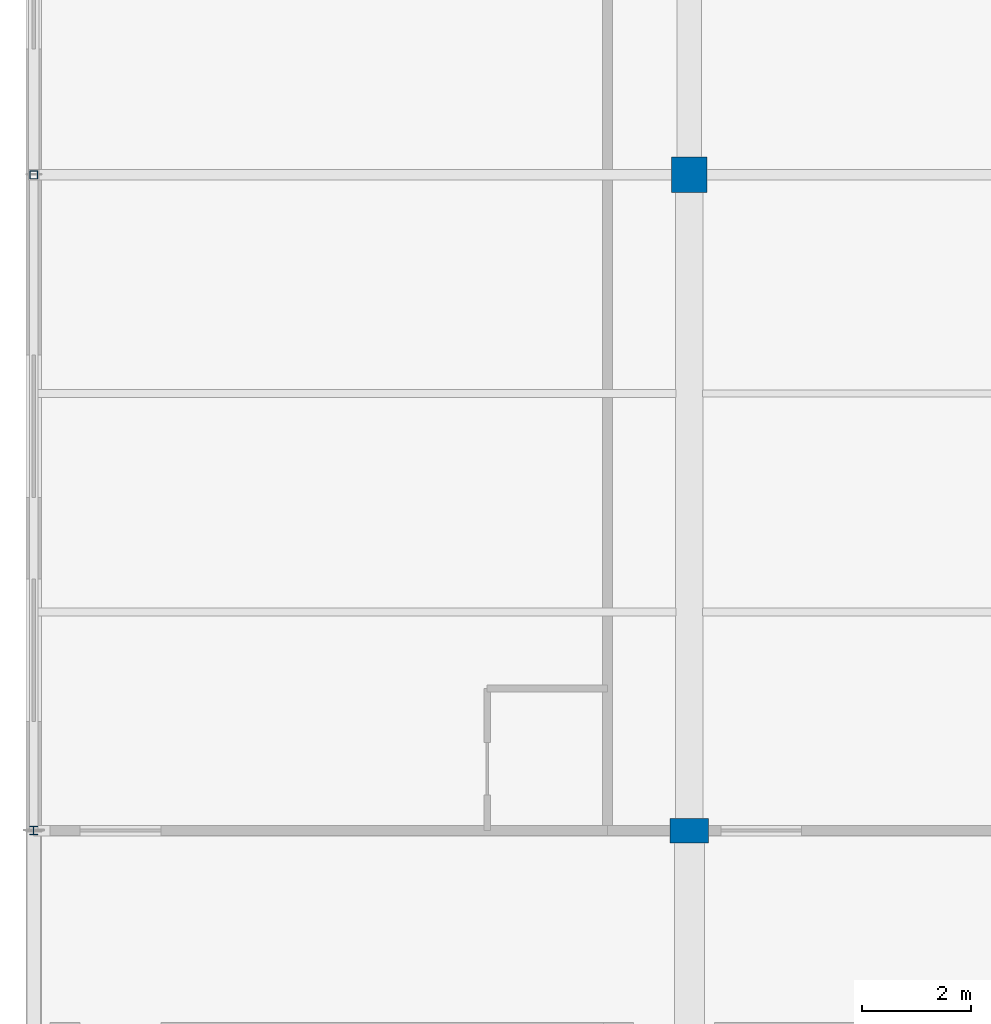
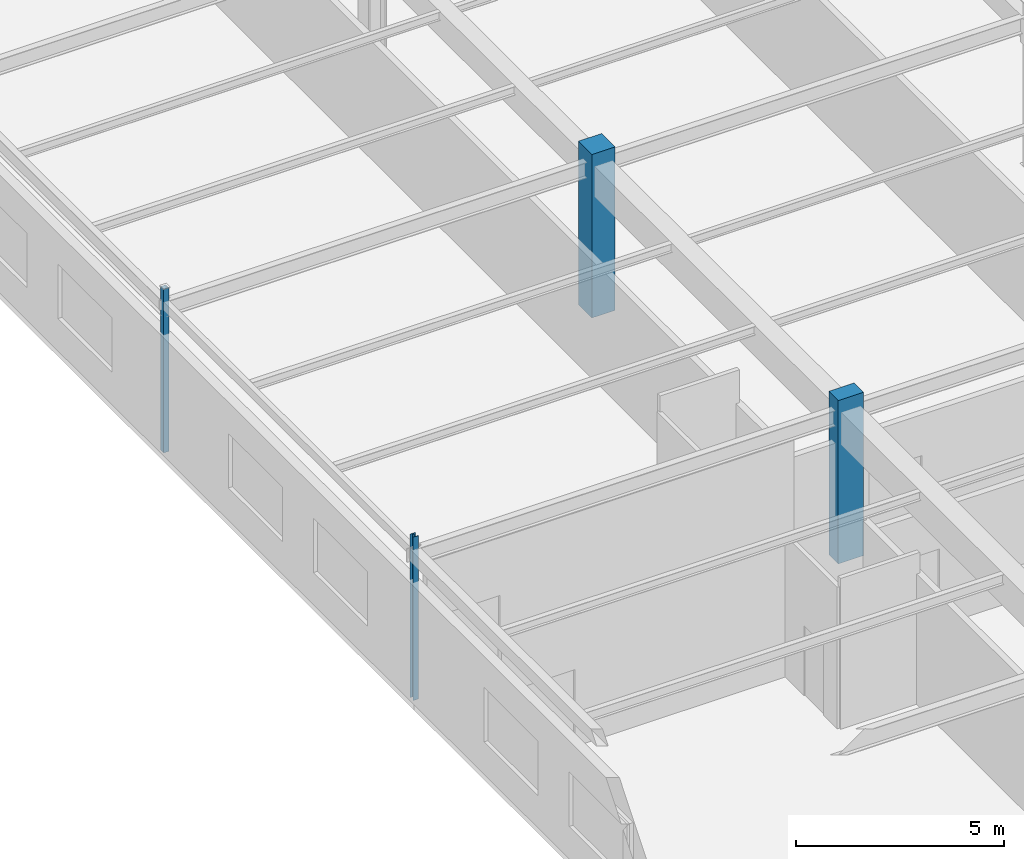
# One storey, part 18 of 226: 4 columns.
"""IFC4 building model written with IfcOpenShell, lengths in metres."""

from ifc_helpers import new_model, si_unit, direction, frame, origin, origin_2d, place, context, subcontext, project, spatial, rectangle, hollow_rectangle, i_section, extrude, material, material_profile, profile_set, type_object, element, save


model = new_model("IFC4")

# Units and contexts
model_context = context("Model", 3, precision=1e-05, world=origin(), true_north=direction((0.0, 1.0)))
body_context = subcontext(model_context, "Body", "Model", "MODEL_VIEW")
ifc_project = project(units=[si_unit("LENGTHUNIT", "METRE"), si_unit("AREAUNIT", "SQUARE_METRE"), si_unit("VOLUMEUNIT", "CUBIC_METRE"), si_unit("PLANEANGLEUNIT", "RADIAN"), si_unit("MASSUNIT", "GRAM", prefix="KILO")], contexts=[model_context])

# Site, building, storey
site_placement = place(None, origin())
site = spatial("IfcSite", under=ifc_project, at=site_placement, CompositionType="ELEMENT")
building_placement = place(site_placement, origin())
building = spatial("IfcBuilding", under=site, at=building_placement, Name="Tarnwether General Hospital", CompositionType="ELEMENT")
storey_placement = place(building_placement, frame((0.0, 0.0, 4.800048828125)))
storey = spatial("IfcBuildingStorey", under=building, at=storey_placement, Name="L01", CompositionType="ELEMENT", Elevation=4.800048828125)

# Columns
ifc_material_1 = material(Name="Concrete 50 MPa", Category="concrete")
ifc_material_profile_1 = material_profile(ifc_material_1, rectangle(XDim=0.449951171875, YDim=0.699951171875, at=origin_2d()), Name="RC-PIL-450x700")
ifc_profile_set_1 = profile_set([ifc_material_profile_1], Name="Concrete 50 MPa")
column_type_1 = type_object("IfcColumnType", Name="COL-22", PredefinedType="PILASTER", material=ifc_profile_set_1)
column_1_placement = place(storey_placement, frame((12.0, 81.60009765625, 0.0), z_axis=(0.0, 0.0, 1.0), x_axis=(0.0, 1.0, 0.0)))
element("IfcColumn", 1, at=column_1_placement, inside=storey, type_object=column_type_1, Name="Column COLG-L01-1200_8160", PredefinedType="PILASTER", context=body_context, shape_type="SweptSolid", body=[
    extrude(rectangle(XDim=0.449951171875, YDim=0.699951171875, at=origin_2d()), origin(), (0.0, 0.0, 1.0), 4.800048828125),
])
ifc_material_2 = material(Name="Steel Grade 350 (350 MPa)", Category="steel")
ifc_material_profile_2 = material_profile(ifc_material_2, i_section(OverallWidth=0.152099609375, OverallDepth=0.152099609375, WebThickness=0.006103515625, FlangeThickness=0.0068359375, at=origin_2d()), Name="150UC23.4")
ifc_profile_set_2 = profile_set([ifc_material_profile_2], Name="Steel Grade 350 (350 MPa)")
column_type_2 = type_object("IfcColumnType", Name="COL-32", PredefinedType="COLUMN", material=ifc_profile_set_2)
column_2_placement = place(storey_placement, frame((0.0, 81.60009765625, 0.0), z_axis=(0.0, 0.0, 1.0), x_axis=(1.0, 0.0, 0.0)))
element("IfcColumn", 2, at=column_2_placement, inside=storey, type_object=column_type_2, Name="Column COLG-L01-0_8160", PredefinedType="COLUMN", context=body_context, shape_type="SweptSolid", body=[
    extrude(i_section(OverallWidth=0.152099609375, OverallDepth=0.152099609375, WebThickness=0.006103515625, FlangeThickness=0.0068359375, at=origin_2d()), origin(), (0.0, 0.0, 1.0), 4.800048828125),
])
ifc_material_3 = material(Name="Steel Grade C350L0 (350 MPa)", Category="steel")
ifc_material_profile_3 = material_profile(ifc_material_3, hollow_rectangle(XDim=0.14990234375, YDim=0.14990234375, WallThickness=0.008056640625, at=origin_2d()), Name="SHS150x150x8")
ifc_profile_set_3 = profile_set([ifc_material_profile_3], Name="Steel Grade C350L0 (350 MPa)")
column_type_3 = type_object("IfcColumnType", Name="COL-33", PredefinedType="COLUMN", material=ifc_profile_set_3)
column_3_placement = place(storey_placement, frame((0.0, 93.60009765625, 0.0), z_axis=(0.0, 0.0, 1.0), x_axis=(1.0, 0.0, 0.0)))
element("IfcColumn", 3, at=column_3_placement, inside=storey, type_object=column_type_3, Name="Column COLG-L01-0_9360", PredefinedType="COLUMN", context=body_context, shape_type="SweptSolid", body=[
    extrude(hollow_rectangle(XDim=0.14990234375, YDim=0.14990234375, WallThickness=0.008056640625, at=origin_2d()), origin(), (0.0, 0.0, 1.0), 4.800048828125),
])
ifc_material_4 = material(Name="Concrete 50 MPa", Category="concrete")
ifc_material_profile_4 = material_profile(ifc_material_4, rectangle(XDim=0.64990234375, YDim=0.64990234375, at=origin_2d()), Name="RC-COL-650x650")
ifc_profile_set_4 = profile_set([ifc_material_profile_4], Name="Concrete 50 MPa")
column_type_4 = type_object("IfcColumnType", Name="COL-35", PredefinedType="COLUMN", material=ifc_profile_set_4)
column_4_placement = place(storey_placement, frame((12.0, 93.60009765625, 0.0), z_axis=(0.0, 0.0, 1.0), x_axis=(0.0, 1.0, 0.0)))
element("IfcColumn", 4, at=column_4_placement, inside=storey, type_object=column_type_4, Name="Column COLG-L01-1200_9360", PredefinedType="COLUMN", context=body_context, shape_type="SweptSolid", body=[
    extrude(rectangle(XDim=0.64990234375, YDim=0.64990234375, at=origin_2d()), origin(), (0.0, 0.0, 1.0), 4.800048828125),
])

save(model, "model.ifc")
